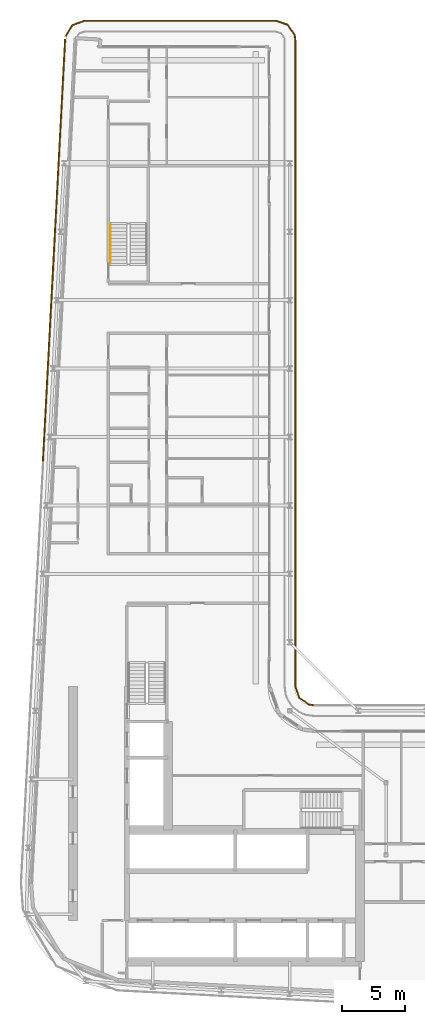
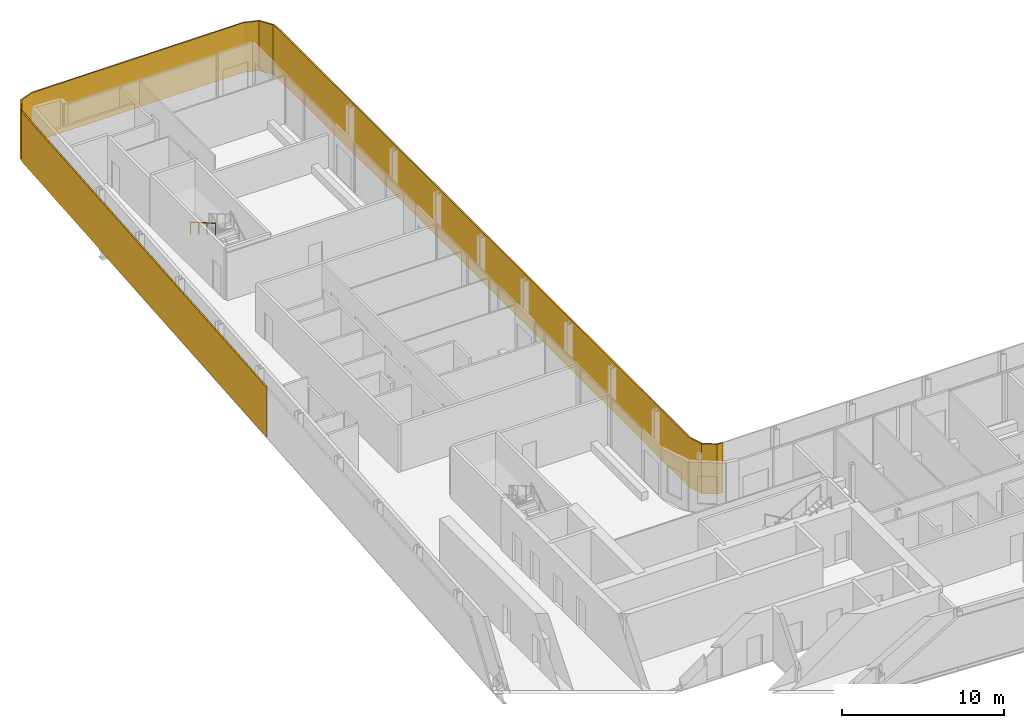
# One storey, part 21 of 23: 2 shading devices, 1 railing.
"""IFC4 building model written with IfcOpenShell, lengths in metres."""

from ifc_helpers import new_model, si_unit, direction, frame, origin, origin_2d, place, context, subcontext, project, spatial, polyline, rectangle, circle, outline, extrude, material, layer, layer_set, type_object, element, save


model = new_model("IFC4")

# Units and contexts
model_context = context("Model", 3, precision=1e-05, world=origin(), true_north=direction((0.0, 1.0)))
body_context = subcontext(model_context, "Body", "Model", "MODEL_VIEW")
ifc_project = project(units=[si_unit("LENGTHUNIT", "METRE"), si_unit("AREAUNIT", "SQUARE_METRE"), si_unit("VOLUMEUNIT", "CUBIC_METRE"), si_unit("PLANEANGLEUNIT", "RADIAN"), si_unit("MASSUNIT", "GRAM", prefix="KILO")], contexts=[model_context])

# Site, building, storey
site_placement = place(None, origin())
site = spatial("IfcSite", under=ifc_project, at=site_placement, CompositionType="ELEMENT")
building_placement = place(site_placement, origin())
building = spatial("IfcBuilding", under=site, at=building_placement, Name="Kheshtan School and Residences Tower", CompositionType="ELEMENT")
storey_placement = place(building_placement, frame((0.0, 0.0, 243.5)))
storey = spatial("IfcBuildingStorey", under=building, at=storey_placement, Name="L57", CompositionType="ELEMENT", Elevation=243.5)

# Shading devices
ifc_material_1 = material(Name="Terracotta baguette, extruded ceramic", Category="masonry")
ifc_layer_1 = layer(ifc_material_1, 0.10009765625)
ifc_layer_set_1 = layer_set([ifc_layer_1], Name="Ledge screen, terracotta baguettes")
shading_device_type_1 = type_object("IfcShadingDeviceType", Name="Ledge screen, terracotta baguettes", PredefinedType="USERDEFINED", material=ifc_layer_set_1)
shading_device_1_placement = place(storey_placement, frame((28.9990234375, 81.93408203125, 0.0), z_axis=(0.0, 0.0, 1.0), x_axis=(0.052562536748, 0.998617634398, 0.0)))
element("IfcShadingDevice", 1, at=shading_device_1_placement, inside=storey, type_object=shading_device_type_1, Name="Screen L57 5", ObjectType="BAGUETTE", PredefinedType="USERDEFINED", context=body_context, shape_type="SweptSolid", body=[
    extrude(rectangle(XDim=33.341064453125, YDim=0.10009765625, at=origin_2d()), origin(), (0.0, 0.0, 1.0), 3.75),
])
ifc_material_2 = material(Name="Terracotta lattice, extruded ceramic", Category="masonry")
ifc_layer_2 = layer(ifc_material_2, 0.10009765625)
ifc_layer_set_2 = layer_set([ifc_layer_2], Name="Loggia screen, terracotta lattice")
shading_device_type_2 = type_object("IfcShadingDeviceType", Name="Loggia screen, terracotta lattice", PredefinedType="USERDEFINED", material=ifc_layer_set_2)
shading_device_2_placement = place(storey_placement, origin())
element("IfcShadingDevice", 2, at=shading_device_2_placement, inside=storey, type_object=shading_device_type_2, Name="Screen L57 1", ObjectType="SCREEN", PredefinedType="USERDEFINED", context=body_context, shape_type="SweptSolid", body=[
    extrude(outline(polyline([(29.949951171875, 98.783935546875), (30.468017578125, 99.656982421875), (31.423095703125, 100.0), (46.5, 100.0), (47.4130859375, 99.68994140625), (47.948974609375, 98.887939453125), (48.0, 98.5), (48.0, 47.5), (48.31005859375, 46.5869140625), (49.112060546875, 46.051025390625), (49.5, 46.0), (49.512939453125, 46.09912109375), (49.14794921875, 46.14697265625), (48.39404296875, 46.65087890625), (48.10009765625, 47.51708984375), (48.10009765625, 98.507080078125), (48.044921875, 98.924072265625), (47.47705078125, 99.77392578125), (46.51708984375, 100.10009765625), (31.406005859375, 100.10009765625), (30.39990234375, 99.739013671875), (29.864013671875, 98.8349609375), (29.949951171875, 98.783935546875)])), origin(), (0.0, 0.0, 1.0), 3.75),
])

# Railing
ifc_material_3 = material(Name="Stainless steel handrail", Category="steel")
railing_type = type_object("IfcRailingType", Name="Stair handrail 900", PredefinedType="HANDRAIL", material=ifc_material_3)
railing_placement = place(storey_placement, frame((33.449951171875, 83.97998046875, 2.112548828125)))
element("IfcRailing", 3, at=railing_placement, inside=storey, type_object=railing_type, Name="L57 ST3 stair handrail 2", PredefinedType="HANDRAIL", context=body_context, shape_type="SweptSolid", body=[
    extrude(circle(Radius=0.02392578125, at=origin_2d()), frame((0.0, 0.0, 0.8759765625), z_axis=(0.0, -0.864920483161, 0.501908913857), x_axis=(1.0, 0.0, 0.0)), (0.0, 0.0, 1.0), 3.56103515625),
    extrude(circle(Radius=0.02099609375, at=origin_2d()), origin(), (0.0, 0.0, 1.0), 0.851806640625),
    extrude(circle(Radius=0.02099609375, at=origin_2d()), frame((0.0, -1.026611328125, 0.595703125)), (0.0, 0.0, 1.0), 0.851806640625),
    extrude(circle(Radius=0.02099609375, at=origin_2d()), frame((0.0, -2.053466796875, 1.191650390625)), (0.0, 0.0, 1.0), 0.851806640625),
    extrude(circle(Radius=0.02099609375, at=origin_2d()), frame((0.0, -3.080078125, 1.787353515625)), (0.0, 0.0, 1.0), 0.851806640625),
])

save(model, "model.ifc")
